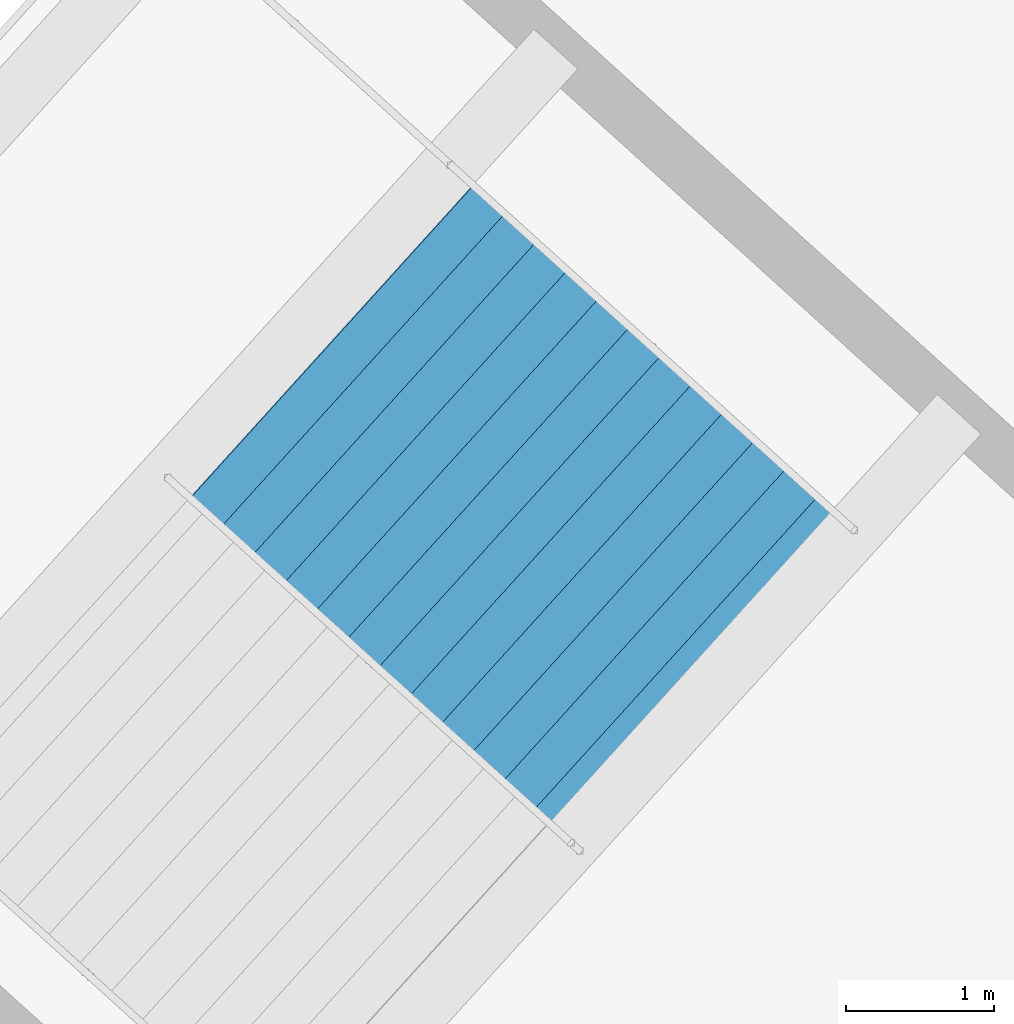
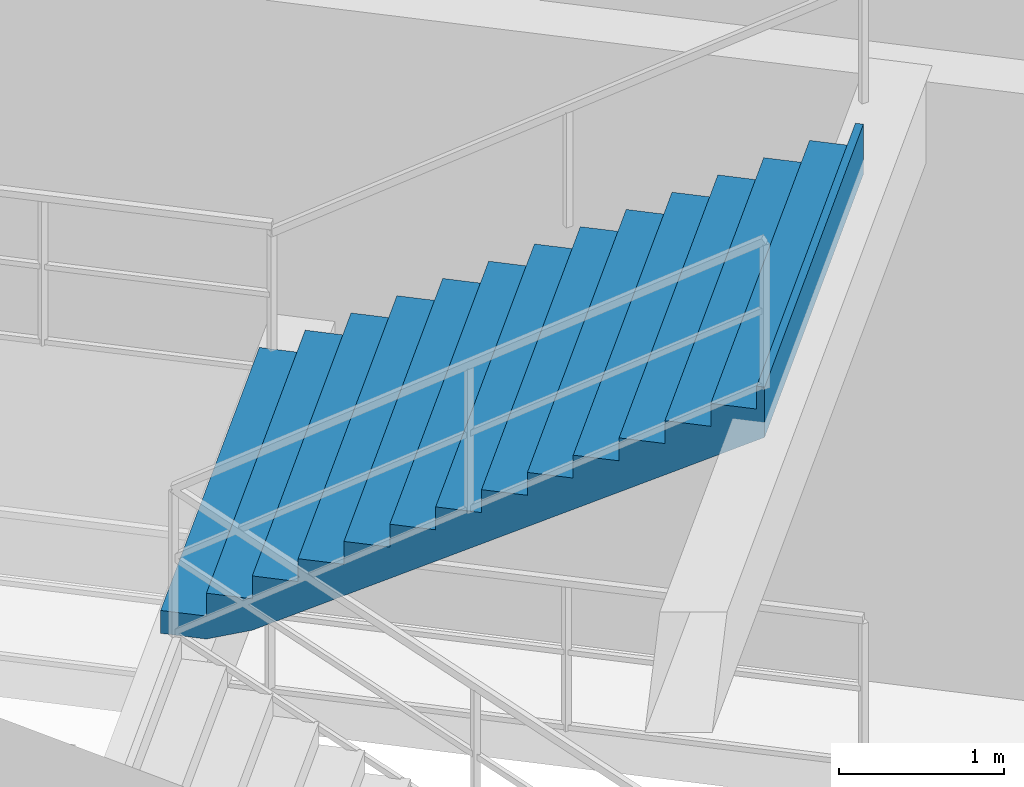
# One storey, part 139 of 156: 1 stair flight, 1 element without a shape of its own.
"""IFC4 building model written with IfcOpenShell, lengths in metres."""

from ifc_helpers import new_model, si_unit, direction, frame, origin, place, context, subcontext, project, spatial, polygons, material, type_object, element, aggregate, save


model = new_model("IFC4")

# Units and contexts
model_context = context("Model", 3, precision=1e-05, world=origin(), true_north=direction((0.0, 1.0)))
body_context = subcontext(model_context, "Body", "Model", "MODEL_VIEW")
ifc_project = project(units=[si_unit("LENGTHUNIT", "METRE"), si_unit("AREAUNIT", "SQUARE_METRE"), si_unit("VOLUMEUNIT", "CUBIC_METRE"), si_unit("PLANEANGLEUNIT", "RADIAN"), si_unit("MASSUNIT", "GRAM", prefix="KILO")], contexts=[model_context])

# Site, building, storey
site_placement = place(None, origin())
site = spatial("IfcSite", under=ifc_project, at=site_placement, CompositionType="ELEMENT")
building_placement = place(site_placement, origin())
building = spatial("IfcBuilding", under=site, at=building_placement, Name="Kazemori Nagisa Stadium", CompositionType="ELEMENT")
storey_placement = place(building_placement, frame((0.0, 0.0, 5.780029296875)))
storey = spatial("IfcBuildingStorey", under=building, at=storey_placement, Name="L01", CompositionType="ELEMENT", Elevation=5.780029296875)

# Stair, stair flight
ifc_material = material(Name="Concrete C36/45 (Fc36)", Category="concrete")
stair_type = type_object("IfcStairType", Name="Stair_CORE_28", PredefinedType="TWO_STRAIGHT_RUN_STAIR", material=ifc_material)
stair_placement = place(storey_placement, origin())
stair = element("IfcStair", 1, at=stair_placement, inside=storey, type_object=stair_type, Name="Exit stair ST01 L01", PredefinedType="TWO_STRAIGHT_RUN_STAIR")
stair_flight_type = type_object("IfcStairFlightType", Name="Flight_CORE_14", PredefinedType="STRAIGHT", material=ifc_material)
stair_flight_placement = place(storey_placement, frame((190.961669921875, 161.023681640625, 2.3798828125), z_axis=(0.0, 0.0, 1.0), x_axis=(0.741324991793, -0.671146225903, 0.0)))
stair_flight = element("IfcStairFlight", 2, at=stair_flight_placement, type_object=stair_flight_type, Name="Exit stair ST01 L01 flight 2", NumberOfRisers=14, NumberOfTreads=13, PredefinedType="STRAIGHT", RiserHeight=0.17, TreadLength=0.285, context=body_context, shape_type="Tessellation", body=[
    polygons([(0.0, -1.425048828125, 0.0), (0.0, -1.425048828125, 0.169921875), (0.284912109375, -1.425048828125, 0.169921875), (0.284912109375, -1.425048828125, 0.340087890625), (0.570068359375, -1.425048828125, 0.340087890625), (0.570068359375, -1.425048828125, 0.510009765625), (0.85498046875, -1.425048828125, 0.510009765625), (0.85498046875, -1.425048828125, 0.679931640625), (1.139892578125, -1.425048828125, 0.679931640625), (1.139892578125, -1.425048828125, 0.85009765625), (1.425048828125, -1.425048828125, 0.85009765625), (1.425048828125, -1.425048828125, 1.02001953125), (1.7099609375, -1.425048828125, 1.02001953125), (1.7099609375, -1.425048828125, 1.18994140625), (1.9951171875, -1.425048828125, 1.18994140625), (1.9951171875, -1.425048828125, 1.360107421875), (2.280029296875, -1.425048828125, 1.360107421875), (2.280029296875, -1.425048828125, 1.530029296875), (2.56494140625, -1.425048828125, 1.530029296875), (2.56494140625, -1.425048828125, 1.699951171875), (2.85009765625, -1.425048828125, 1.699951171875), (2.85009765625, -1.425048828125, 1.8701171875), (3.135009765625, -1.425048828125, 1.8701171875), (3.135009765625, -1.425048828125, 2.0400390625), (3.419921875, -1.425048828125, 2.0400390625), (3.419921875, -1.425048828125, 2.2099609375), (3.705078125, -1.425048828125, 2.2099609375), (3.705078125, -1.425048828125, 2.3798828125), (3.7548828125, -1.425048828125, 2.3798828125), (3.7548828125, -1.425048828125, 2.007080078125), (3.705078125, -1.425048828125, 1.977294921875), (3.419921875, -1.425048828125, 1.80712890625), (3.135009765625, -1.425048828125, 1.63720703125), (2.85009765625, -1.425048828125, 1.46728515625), (2.56494140625, -1.425048828125, 1.297119140625), (2.280029296875, -1.425048828125, 1.127197265625), (1.9951171875, -1.425048828125, 0.957275390625), (1.7099609375, -1.425048828125, 0.787109375), (1.425048828125, -1.425048828125, 0.6171875), (1.139892578125, -1.425048828125, 0.447265625), (0.85498046875, -1.425048828125, 0.277099609375), (0.570068359375, -1.425048828125, 0.107177734375), (0.284912109375, -1.425048828125, 0.0), (0.0, -0.08544921875, 0.0), (0.0, -0.08544921875, 0.169921875), (0.284912109375, -0.08544921875, 0.169921875), (0.284912109375, -0.08544921875, 0.340087890625), (0.570068359375, -0.08544921875, 0.340087890625), (0.570068359375, -0.08544921875, 0.510009765625), (0.85498046875, -0.08544921875, 0.510009765625), (0.85498046875, -0.08544921875, 0.679931640625), (1.139892578125, -0.08544921875, 0.679931640625), (1.139892578125, -0.08544921875, 0.85009765625), (1.425048828125, -0.08544921875, 0.85009765625), (1.425048828125, -0.08544921875, 1.02001953125), (1.7099609375, -0.08544921875, 1.02001953125), (1.7099609375, -0.08544921875, 1.18994140625), (1.9951171875, -0.08544921875, 1.18994140625), (1.9951171875, -0.08544921875, 1.360107421875), (2.280029296875, -0.08544921875, 1.360107421875), (2.280029296875, -0.08544921875, 1.530029296875), (2.56494140625, -0.08544921875, 1.530029296875), (2.56494140625, -0.08544921875, 1.699951171875), (2.85009765625, -0.08544921875, 1.699951171875), (2.85009765625, -0.08544921875, 1.8701171875), (3.135009765625, -0.08544921875, 1.8701171875), (3.135009765625, -0.08544921875, 2.0400390625), (3.419921875, -0.08544921875, 2.0400390625), (3.419921875, -0.08544921875, 2.2099609375), (3.705078125, -0.08544921875, 2.2099609375), (3.705078125, -0.08544921875, 2.3798828125), (3.7548828125, -0.08544921875, 2.3798828125), (3.7548828125, -0.08544921875, 2.007080078125), (3.705078125, -0.08544921875, 1.977294921875), (3.419921875, -0.08544921875, 1.80712890625), (3.135009765625, -0.08544921875, 1.63720703125), (2.85009765625, -0.08544921875, 1.46728515625), (2.56494140625, -0.08544921875, 1.297119140625), (2.280029296875, -0.08544921875, 1.127197265625), (1.9951171875, -0.08544921875, 0.957275390625), (1.7099609375, -0.08544921875, 0.787109375), (1.425048828125, -0.08544921875, 0.6171875), (1.139892578125, -0.08544921875, 0.447265625), (0.85498046875, -0.08544921875, 0.277099609375), (0.570068359375, -0.08544921875, 0.107177734375), (0.284912109375, -0.08544921875, 0.0), (0.0, 0.0, 0.0), (0.0, 0.0, 0.169921875), (0.284912109375, 0.0, 0.169921875), (0.284912109375, 0.0, 0.340087890625), (0.570068359375, 0.0, 0.340087890625), (0.570068359375, 0.0, 0.510009765625), (0.85498046875, 0.0, 0.510009765625), (0.85498046875, 0.0, 0.679931640625), (1.139892578125, 0.0, 0.679931640625), (1.139892578125, 0.0, 0.85009765625), (1.425048828125, 0.0, 0.85009765625), (1.425048828125, 0.0, 1.02001953125), (1.7099609375, 0.0, 1.02001953125), (1.7099609375, 0.0, 1.18994140625), (1.9951171875, 0.0, 1.18994140625), (1.9951171875, 0.0, 1.360107421875), (2.280029296875, 0.0, 1.360107421875), (2.280029296875, 0.0, 1.530029296875), (2.56494140625, 0.0, 1.530029296875), (2.56494140625, 0.0, 1.699951171875), (2.85009765625, 0.0, 1.699951171875), (2.85009765625, 0.0, 1.8701171875), (3.135009765625, 0.0, 1.8701171875), (3.135009765625, 0.0, 2.0400390625), (3.419921875, 0.0, 2.0400390625), (3.419921875, 0.0, 2.2099609375), (3.705078125, 0.0, 2.2099609375), (3.705078125, 0.0, 2.3798828125), (3.7548828125, 0.0, 2.3798828125), (3.7548828125, 0.0, 2.007080078125), (3.705078125, 0.0, 1.977294921875), (3.419921875, 0.0, 1.80712890625), (3.135009765625, 0.0, 1.63720703125), (2.85009765625, 0.0, 1.46728515625), (2.56494140625, 0.0, 1.297119140625), (2.280029296875, 0.0, 1.127197265625), (1.9951171875, 0.0, 0.957275390625), (1.7099609375, 0.0, 0.787109375), (1.425048828125, 0.0, 0.6171875), (1.139892578125, 0.0, 0.447265625), (0.85498046875, 0.0, 0.277099609375), (0.570068359375, 0.0, 0.107177734375), (0.284912109375, 0.0, 0.0), (0.0, 0.08544921875, 0.0), (0.0, 0.08544921875, 0.169921875), (0.284912109375, 0.08544921875, 0.169921875), (0.284912109375, 0.08544921875, 0.340087890625), (0.570068359375, 0.08544921875, 0.340087890625), (0.570068359375, 0.08544921875, 0.510009765625), (0.85498046875, 0.08544921875, 0.510009765625), (0.85498046875, 0.08544921875, 0.679931640625), (1.139892578125, 0.08544921875, 0.679931640625), (1.139892578125, 0.08544921875, 0.85009765625), (1.425048828125, 0.08544921875, 0.85009765625), (1.425048828125, 0.08544921875, 1.02001953125), (1.7099609375, 0.08544921875, 1.02001953125), (1.7099609375, 0.08544921875, 1.18994140625), (1.9951171875, 0.08544921875, 1.18994140625), (1.9951171875, 0.08544921875, 1.360107421875), (2.280029296875, 0.08544921875, 1.360107421875), (2.280029296875, 0.08544921875, 1.530029296875), (2.56494140625, 0.08544921875, 1.530029296875), (2.56494140625, 0.08544921875, 1.699951171875), (2.85009765625, 0.08544921875, 1.699951171875), (2.85009765625, 0.08544921875, 1.8701171875), (3.135009765625, 0.08544921875, 1.8701171875), (3.135009765625, 0.08544921875, 2.0400390625), (3.419921875, 0.08544921875, 2.0400390625), (3.419921875, 0.08544921875, 2.2099609375), (3.705078125, 0.08544921875, 2.2099609375), (3.705078125, 0.08544921875, 2.3798828125), (3.7548828125, 0.08544921875, 2.3798828125), (3.7548828125, 0.08544921875, 2.007080078125), (3.705078125, 0.08544921875, 1.977294921875), (3.419921875, 0.08544921875, 1.80712890625), (3.135009765625, 0.08544921875, 1.63720703125), (2.85009765625, 0.08544921875, 1.46728515625), (2.56494140625, 0.08544921875, 1.297119140625), (2.280029296875, 0.08544921875, 1.127197265625), (1.9951171875, 0.08544921875, 0.957275390625), (1.7099609375, 0.08544921875, 0.787109375), (1.425048828125, 0.08544921875, 0.6171875), (1.139892578125, 0.08544921875, 0.447265625), (0.85498046875, 0.08544921875, 0.277099609375), (0.570068359375, 0.08544921875, 0.107177734375), (0.284912109375, 0.08544921875, 0.0), (0.0, 1.425048828125, 0.0), (0.0, 1.425048828125, 0.169921875), (0.284912109375, 1.425048828125, 0.169921875), (0.284912109375, 1.425048828125, 0.340087890625), (0.570068359375, 1.425048828125, 0.340087890625), (0.570068359375, 1.425048828125, 0.510009765625), (0.85498046875, 1.425048828125, 0.510009765625), (0.85498046875, 1.425048828125, 0.679931640625), (1.139892578125, 1.425048828125, 0.679931640625), (1.139892578125, 1.425048828125, 0.85009765625), (1.425048828125, 1.425048828125, 0.85009765625), (1.425048828125, 1.425048828125, 1.02001953125), (1.7099609375, 1.425048828125, 1.02001953125), (1.7099609375, 1.425048828125, 1.18994140625), (1.9951171875, 1.425048828125, 1.18994140625), (1.9951171875, 1.425048828125, 1.360107421875), (2.280029296875, 1.425048828125, 1.360107421875), (2.280029296875, 1.425048828125, 1.530029296875), (2.56494140625, 1.425048828125, 1.530029296875), (2.56494140625, 1.425048828125, 1.699951171875), (2.85009765625, 1.425048828125, 1.699951171875), (2.85009765625, 1.425048828125, 1.8701171875), (3.135009765625, 1.425048828125, 1.8701171875), (3.135009765625, 1.425048828125, 2.0400390625), (3.419921875, 1.425048828125, 2.0400390625), (3.419921875, 1.425048828125, 2.2099609375), (3.705078125, 1.425048828125, 2.2099609375), (3.705078125, 1.425048828125, 2.3798828125), (3.7548828125, 1.425048828125, 2.3798828125), (3.7548828125, 1.425048828125, 2.007080078125), (3.705078125, 1.425048828125, 1.977294921875), (3.419921875, 1.425048828125, 1.80712890625), (3.135009765625, 1.425048828125, 1.63720703125), (2.85009765625, 1.425048828125, 1.46728515625), (2.56494140625, 1.425048828125, 1.297119140625), (2.280029296875, 1.425048828125, 1.127197265625), (1.9951171875, 1.425048828125, 0.957275390625), (1.7099609375, 1.425048828125, 0.787109375), (1.425048828125, 1.425048828125, 0.6171875), (1.139892578125, 1.425048828125, 0.447265625), (0.85498046875, 1.425048828125, 0.277099609375), (0.570068359375, 1.425048828125, 0.107177734375), (0.284912109375, 1.425048828125, 0.0)], [[[1, 2, 45]], [[1, 45, 44]], [[2, 3, 46]], [[2, 46, 45]], [[3, 4, 47]], [[3, 47, 46]], [[4, 5, 48]], [[4, 48, 47]], [[5, 6, 49]], [[5, 49, 48]], [[6, 7, 50]], [[6, 50, 49]], [[7, 8, 51]], [[7, 51, 50]], [[8, 9, 52]], [[8, 52, 51]], [[9, 10, 53]], [[9, 53, 52]], [[10, 11, 54]], [[10, 54, 53]], [[11, 12, 55]], [[11, 55, 54]], [[12, 13, 56]], [[12, 56, 55]], [[13, 14, 57]], [[13, 57, 56]], [[14, 15, 58]], [[14, 58, 57]], [[15, 16, 59]], [[15, 59, 58]], [[16, 17, 60]], [[16, 60, 59]], [[17, 18, 61]], [[17, 61, 60]], [[18, 19, 62]], [[18, 62, 61]], [[19, 20, 63]], [[19, 63, 62]], [[20, 21, 64]], [[20, 64, 63]], [[21, 22, 65]], [[21, 65, 64]], [[22, 23, 66]], [[22, 66, 65]], [[23, 24, 67]], [[23, 67, 66]], [[24, 25, 68]], [[24, 68, 67]], [[25, 26, 69]], [[25, 69, 68]], [[26, 27, 70]], [[26, 70, 69]], [[27, 28, 71]], [[27, 71, 70]], [[28, 29, 72]], [[28, 72, 71]], [[29, 30, 73]], [[29, 73, 72]], [[30, 31, 74]], [[30, 74, 73]], [[31, 32, 75]], [[31, 75, 74]], [[32, 33, 76]], [[32, 76, 75]], [[33, 34, 77]], [[33, 77, 76]], [[34, 35, 78]], [[34, 78, 77]], [[35, 36, 79]], [[35, 79, 78]], [[36, 37, 80]], [[36, 80, 79]], [[37, 38, 81]], [[37, 81, 80]], [[38, 39, 82]], [[38, 82, 81]], [[39, 40, 83]], [[39, 83, 82]], [[40, 41, 84]], [[40, 84, 83]], [[41, 42, 85]], [[41, 85, 84]], [[42, 43, 86]], [[42, 86, 85]], [[43, 1, 44]], [[43, 44, 86]], [[44, 45, 88]], [[44, 88, 87]], [[45, 46, 89]], [[45, 89, 88]], [[46, 47, 90]], [[46, 90, 89]], [[47, 48, 91]], [[47, 91, 90]], [[48, 49, 92]], [[48, 92, 91]], [[49, 50, 93]], [[49, 93, 92]], [[50, 51, 94]], [[50, 94, 93]], [[51, 52, 95]], [[51, 95, 94]], [[52, 53, 96]], [[52, 96, 95]], [[53, 54, 97]], [[53, 97, 96]], [[54, 55, 98]], [[54, 98, 97]], [[55, 56, 99]], [[55, 99, 98]], [[56, 57, 100]], [[56, 100, 99]], [[57, 58, 101]], [[57, 101, 100]], [[58, 59, 102]], [[58, 102, 101]], [[59, 60, 103]], [[59, 103, 102]], [[60, 61, 104]], [[60, 104, 103]], [[61, 62, 105]], [[61, 105, 104]], [[62, 63, 106]], [[62, 106, 105]], [[63, 64, 107]], [[63, 107, 106]], [[64, 65, 108]], [[64, 108, 107]], [[65, 66, 109]], [[65, 109, 108]], [[66, 67, 110]], [[66, 110, 109]], [[67, 68, 111]], [[67, 111, 110]], [[68, 69, 112]], [[68, 112, 111]], [[69, 70, 113]], [[69, 113, 112]], [[70, 71, 114]], [[70, 114, 113]], [[71, 72, 115]], [[71, 115, 114]], [[72, 73, 116]], [[72, 116, 115]], [[73, 74, 117]], [[73, 117, 116]], [[74, 75, 118]], [[74, 118, 117]], [[75, 76, 119]], [[75, 119, 118]], [[76, 77, 120]], [[76, 120, 119]], [[77, 78, 121]], [[77, 121, 120]], [[78, 79, 122]], [[78, 122, 121]], [[79, 80, 123]], [[79, 123, 122]], [[80, 81, 124]], [[80, 124, 123]], [[81, 82, 125]], [[81, 125, 124]], [[82, 83, 126]], [[82, 126, 125]], [[83, 84, 127]], [[83, 127, 126]], [[84, 85, 128]], [[84, 128, 127]], [[85, 86, 129]], [[85, 129, 128]], [[86, 44, 87]], [[86, 87, 129]], [[87, 88, 131]], [[87, 131, 130]], [[88, 89, 132]], [[88, 132, 131]], [[89, 90, 133]], [[89, 133, 132]], [[90, 91, 134]], [[90, 134, 133]], [[91, 92, 135]], [[91, 135, 134]], [[92, 93, 136]], [[92, 136, 135]], [[93, 94, 137]], [[93, 137, 136]], [[94, 95, 138]], [[94, 138, 137]], [[95, 96, 139]], [[95, 139, 138]], [[96, 97, 140]], [[96, 140, 139]], [[97, 98, 141]], [[97, 141, 140]], [[98, 99, 142]], [[98, 142, 141]], [[99, 100, 143]], [[99, 143, 142]], [[100, 101, 144]], [[100, 144, 143]], [[101, 102, 145]], [[101, 145, 144]], [[102, 103, 146]], [[102, 146, 145]], [[103, 104, 147]], [[103, 147, 146]], [[104, 105, 148]], [[104, 148, 147]], [[105, 106, 149]], [[105, 149, 148]], [[106, 107, 150]], [[106, 150, 149]], [[107, 108, 151]], [[107, 151, 150]], [[108, 109, 152]], [[108, 152, 151]], [[109, 110, 153]], [[109, 153, 152]], [[110, 111, 154]], [[110, 154, 153]], [[111, 112, 155]], [[111, 155, 154]], [[112, 113, 156]], [[112, 156, 155]], [[113, 114, 157]], [[113, 157, 156]], [[114, 115, 158]], [[114, 158, 157]], [[115, 116, 159]], [[115, 159, 158]], [[116, 117, 160]], [[116, 160, 159]], [[117, 118, 161]], [[117, 161, 160]], [[118, 119, 162]], [[118, 162, 161]], [[119, 120, 163]], [[119, 163, 162]], [[120, 121, 164]], [[120, 164, 163]], [[121, 122, 165]], [[121, 165, 164]], [[122, 123, 166]], [[122, 166, 165]], [[123, 124, 167]], [[123, 167, 166]], [[124, 125, 168]], [[124, 168, 167]], [[125, 126, 169]], [[125, 169, 168]], [[126, 127, 170]], [[126, 170, 169]], [[127, 128, 171]], [[127, 171, 170]], [[128, 129, 172]], [[128, 172, 171]], [[129, 87, 130]], [[129, 130, 172]], [[130, 131, 174]], [[130, 174, 173]], [[131, 132, 175]], [[131, 175, 174]], [[132, 133, 176]], [[132, 176, 175]], [[133, 134, 177]], [[133, 177, 176]], [[134, 135, 178]], [[134, 178, 177]], [[135, 136, 179]], [[135, 179, 178]], [[136, 137, 180]], [[136, 180, 179]], [[137, 138, 181]], [[137, 181, 180]], [[138, 139, 182]], [[138, 182, 181]], [[139, 140, 183]], [[139, 183, 182]], [[140, 141, 184]], [[140, 184, 183]], [[141, 142, 185]], [[141, 185, 184]], [[142, 143, 186]], [[142, 186, 185]], [[143, 144, 187]], [[143, 187, 186]], [[144, 145, 188]], [[144, 188, 187]], [[145, 146, 189]], [[145, 189, 188]], [[146, 147, 190]], [[146, 190, 189]], [[147, 148, 191]], [[147, 191, 190]], [[148, 149, 192]], [[148, 192, 191]], [[149, 150, 193]], [[149, 193, 192]], [[150, 151, 194]], [[150, 194, 193]], [[151, 152, 195]], [[151, 195, 194]], [[152, 153, 196]], [[152, 196, 195]], [[153, 154, 197]], [[153, 197, 196]], [[154, 155, 198]], [[154, 198, 197]], [[155, 156, 199]], [[155, 199, 198]], [[156, 157, 200]], [[156, 200, 199]], [[157, 158, 201]], [[157, 201, 200]], [[158, 159, 202]], [[158, 202, 201]], [[159, 160, 203]], [[159, 203, 202]], [[160, 161, 204]], [[160, 204, 203]], [[161, 162, 205]], [[161, 205, 204]], [[162, 163, 206]], [[162, 206, 205]], [[163, 164, 207]], [[163, 207, 206]], [[164, 165, 208]], [[164, 208, 207]], [[165, 166, 209]], [[165, 209, 208]], [[166, 167, 210]], [[166, 210, 209]], [[167, 168, 211]], [[167, 211, 210]], [[168, 169, 212]], [[168, 212, 211]], [[169, 170, 213]], [[169, 213, 212]], [[170, 171, 214]], [[170, 214, 213]], [[171, 172, 215]], [[171, 215, 214]], [[172, 130, 173]], [[172, 173, 215]], [[3, 2, 1]], [[173, 174, 175]], [[43, 3, 1]], [[173, 175, 215]], [[42, 3, 43]], [[215, 175, 214]], [[5, 3, 42]], [[214, 175, 177]], [[5, 4, 3]], [[175, 176, 177]], [[41, 5, 42]], [[214, 177, 213]], [[7, 5, 41]], [[213, 177, 179]], [[7, 6, 5]], [[177, 178, 179]], [[40, 7, 41]], [[213, 179, 212]], [[9, 7, 40]], [[212, 179, 181]], [[9, 8, 7]], [[179, 180, 181]], [[39, 9, 40]], [[212, 181, 211]], [[11, 9, 39]], [[211, 181, 183]], [[11, 10, 9]], [[181, 182, 183]], [[38, 11, 39]], [[211, 183, 210]], [[13, 11, 38]], [[210, 183, 185]], [[13, 12, 11]], [[183, 184, 185]], [[37, 13, 38]], [[210, 185, 209]], [[15, 13, 37]], [[209, 185, 187]], [[15, 14, 13]], [[185, 186, 187]], [[36, 15, 37]], [[209, 187, 208]], [[17, 15, 36]], [[208, 187, 189]], [[17, 16, 15]], [[187, 188, 189]], [[35, 17, 36]], [[208, 189, 207]], [[19, 17, 35]], [[207, 189, 191]], [[19, 18, 17]], [[189, 190, 191]], [[34, 19, 35]], [[207, 191, 206]], [[21, 19, 34]], [[206, 191, 193]], [[21, 20, 19]], [[191, 192, 193]], [[33, 21, 34]], [[206, 193, 205]], [[23, 21, 33]], [[205, 193, 195]], [[23, 22, 21]], [[193, 194, 195]], [[32, 23, 33]], [[205, 195, 204]], [[25, 23, 32]], [[204, 195, 197]], [[25, 24, 23]], [[195, 196, 197]], [[31, 25, 32]], [[204, 197, 203]], [[27, 25, 31]], [[203, 197, 199]], [[27, 26, 25]], [[197, 198, 199]], [[30, 27, 31]], [[203, 199, 202]], [[29, 27, 30]], [[202, 199, 201]], [[29, 28, 27]], [[199, 200, 201]]], closed=True),
])
aggregate(stair, [stair_flight])

save(model, "model.ifc")
